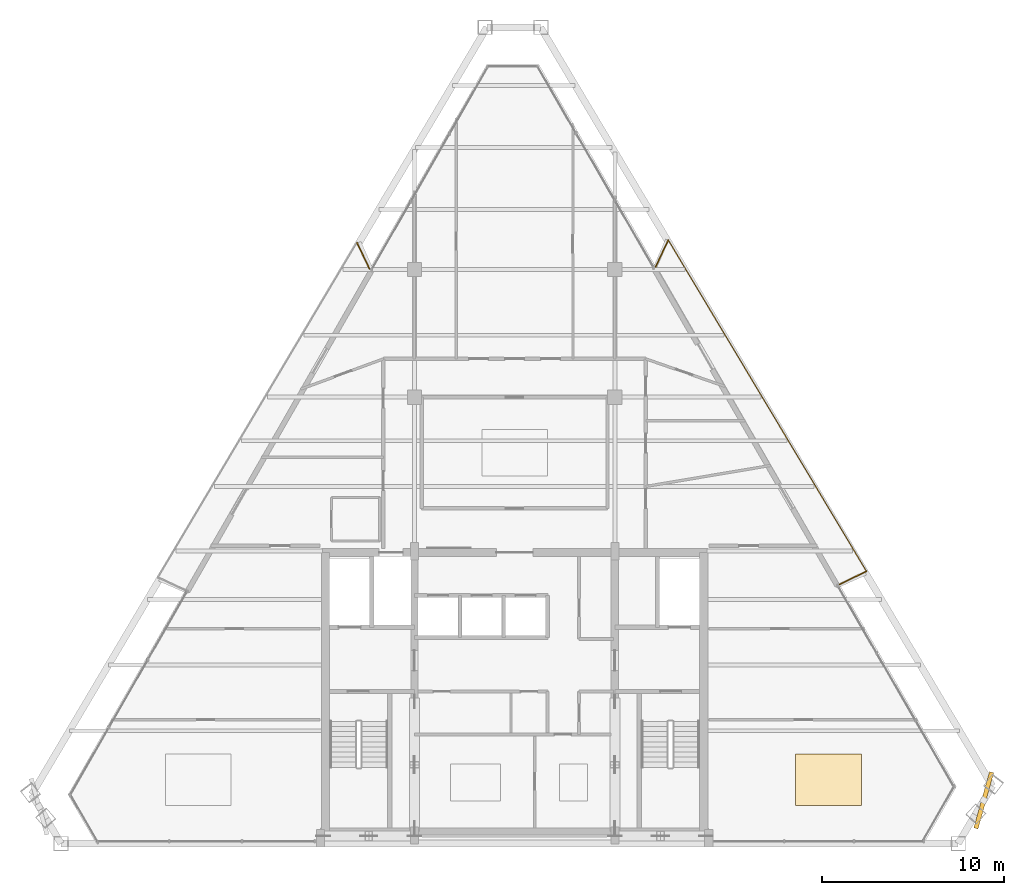
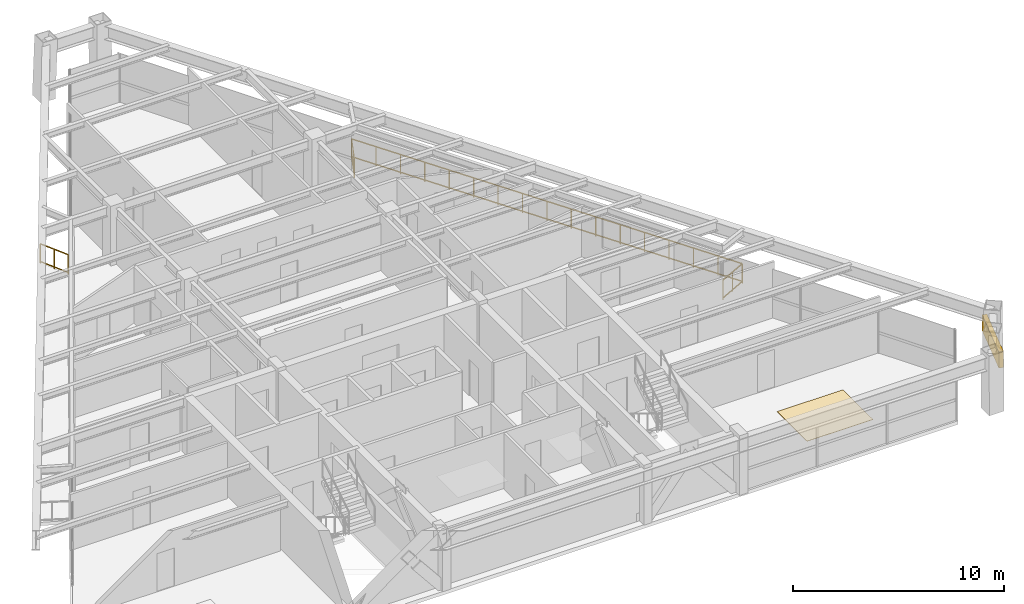
# One storey, part 13 of 13: 4 railings, 1 covering, 1 shading device.
"""IFC4 building model written with IfcOpenShell, lengths in metres."""

from ifc_helpers import new_model, si_unit, direction, frame, origin, origin_2d, place, context, subcontext, project, spatial, rectangle, extrude, source, transform, mapped, material, layer, layer_set, type_object, type_shapes, element, save


model = new_model("IFC4")

# Units and contexts
model_context = context("Model", 3, precision=1e-05, world=origin(), true_north=direction((0.0, 1.0)))
body_context = subcontext(model_context, "Body", "Model", "MODEL_VIEW")
ifc_project = project(units=[si_unit("LENGTHUNIT", "METRE"), si_unit("AREAUNIT", "SQUARE_METRE"), si_unit("VOLUMEUNIT", "CUBIC_METRE"), si_unit("PLANEANGLEUNIT", "RADIAN"), si_unit("MASSUNIT", "GRAM", prefix="KILO")], contexts=[model_context])

# Site, building, storey
site_placement = place(None, origin())
site = spatial("IfcSite", under=ifc_project, at=site_placement, CompositionType="ELEMENT")
building_placement = place(site_placement, origin())
building = spatial("IfcBuilding", under=site, at=building_placement, Name="Varnakhor Terracotta Tower", CompositionType="ELEMENT")
storey_placement = place(building_placement, frame((0.0, 0.0, 293.699951171875)))
storey = spatial("IfcBuildingStorey", under=building, at=storey_placement, Name="L77", CompositionType="ELEMENT", Elevation=293.699951171875)

# Railings
ifc_material_1 = material(Name="Stainless Steel & Laminated Glass Guardrail", Category="steel")
railing_type = type_object("IfcRailingType", Name="RLG-LOGGIA-GUARD-1150", PredefinedType="GUARDRAIL", material=ifc_material_1)
railing_1_placement = place(storey_placement, frame((7.7470703125, 31.6630859375, 0.0)))
element("IfcRailing", 1, at=railing_1_placement, inside=storey, type_object=railing_type, Name="L77 E Loggia Glass Guard 1", PredefinedType="GUARDRAIL", context=body_context, shape_type="SweptSolid", body=[
    extrude(rectangle(XDim=0.048095703125, YDim=0.048095703125, at=origin_2d()), frame((0.0, 0.0, 1.1259765625), z_axis=(0.428079810061, 0.903740934238, 0.0), x_axis=(-0.903740934238, 0.428079810061, 0.0)), (0.0, 0.0, 1.0), 1.60595703125),
    extrude(rectangle(XDim=0.048095703125, YDim=0.048095703125, at=origin_2d()), frame((0.0, 0.0, 0.10009765625), z_axis=(0.428079810061, 0.903740934238, 0.0), x_axis=(-0.903740934238, 0.428079810061, 0.0)), (0.0, 0.0, 1.0), 1.60595703125),
    extrude(rectangle(XDim=0.0419921875, YDim=0.0419921875, at=origin_2d()), origin(), (0.0, 0.0, 1.0), 1.101806640625),
    extrude(rectangle(XDim=0.0419921875, YDim=0.0419921875, at=origin_2d()), frame((0.34375, 0.7255859375, 0.0)), (0.0, 0.0, 1.0), 1.101806640625),
    extrude(rectangle(XDim=0.0419921875, YDim=0.0419921875, at=origin_2d()), frame((0.6875, 1.451416015625, 0.0)), (0.0, 0.0, 1.0), 1.101806640625),
])
railing_2_placement = place(storey_placement, frame((8.4345703125, 33.114501953125, 0.0)))
element("IfcRailing", 2, at=railing_2_placement, inside=storey, type_object=railing_type, Name="L77 E Loggia Glass Guard 2", PredefinedType="GUARDRAIL", context=body_context, shape_type="SweptSolid", body=[
    extrude(rectangle(XDim=0.048095703125, YDim=0.048095703125, at=origin_2d()), frame((0.0, 0.0, 1.1259765625), z_axis=(0.513442147461, -0.858124210829, 0.0), x_axis=(0.858124210829, 0.513442147461, 0.0)), (0.0, 0.0, 1.0), 21.169189453125),
    extrude(rectangle(XDim=0.048095703125, YDim=0.048095703125, at=origin_2d()), frame((0.0, 0.0, 0.10009765625), z_axis=(0.513442147461, -0.858124210829, 0.0), x_axis=(0.858124210829, 0.513442147461, 0.0)), (0.0, 0.0, 1.0), 21.169189453125),
    extrude(rectangle(XDim=0.0419921875, YDim=0.0419921875, at=origin_2d()), origin(), (0.0, 0.0, 1.0), 1.101806640625),
    extrude(rectangle(XDim=0.0419921875, YDim=0.0419921875, at=origin_2d()), frame((0.67919921875, -1.13525390625, 0.0)), (0.0, 0.0, 1.0), 1.101806640625),
    extrude(rectangle(XDim=0.0419921875, YDim=0.0419921875, at=origin_2d()), frame((1.358642578125, -2.270751953125, 0.0)), (0.0, 0.0, 1.0), 1.101806640625),
    extrude(rectangle(XDim=0.0419921875, YDim=0.0419921875, at=origin_2d()), frame((2.0380859375, -3.406005859375, 0.0)), (0.0, 0.0, 1.0), 1.101806640625),
    extrude(rectangle(XDim=0.0419921875, YDim=0.0419921875, at=origin_2d()), frame((2.71728515625, -4.54150390625, 0.0)), (0.0, 0.0, 1.0), 1.101806640625),
    extrude(rectangle(XDim=0.0419921875, YDim=0.0419921875, at=origin_2d()), frame((3.396484375, -5.6767578125, 0.0)), (0.0, 0.0, 1.0), 1.101806640625),
    extrude(rectangle(XDim=0.0419921875, YDim=0.0419921875, at=origin_2d()), frame((4.075927734375, -6.812255859375, 0.0)), (0.0, 0.0, 1.0), 1.101806640625),
    extrude(rectangle(XDim=0.0419921875, YDim=0.0419921875, at=origin_2d()), frame((4.75537109375, -7.947509765625, 0.0)), (0.0, 0.0, 1.0), 1.101806640625),
    extrude(rectangle(XDim=0.0419921875, YDim=0.0419921875, at=origin_2d()), frame((5.4345703125, -9.0830078125, 0.0)), (0.0, 0.0, 1.0), 1.101806640625),
    extrude(rectangle(XDim=0.0419921875, YDim=0.0419921875, at=origin_2d()), frame((6.11376953125, -10.21826171875, 0.0)), (0.0, 0.0, 1.0), 1.101806640625),
    extrude(rectangle(XDim=0.0419921875, YDim=0.0419921875, at=origin_2d()), frame((6.793212890625, -11.353515625, 0.0)), (0.0, 0.0, 1.0), 1.101806640625),
    extrude(rectangle(XDim=0.0419921875, YDim=0.0419921875, at=origin_2d()), frame((7.47265625, -12.489013671875, 0.0)), (0.0, 0.0, 1.0), 1.101806640625),
    extrude(rectangle(XDim=0.0419921875, YDim=0.0419921875, at=origin_2d()), frame((8.15185546875, -13.624267578125, 0.0)), (0.0, 0.0, 1.0), 1.101806640625),
    extrude(rectangle(XDim=0.0419921875, YDim=0.0419921875, at=origin_2d()), frame((8.8310546875, -14.759765625, 0.0)), (0.0, 0.0, 1.0), 1.101806640625),
    extrude(rectangle(XDim=0.0419921875, YDim=0.0419921875, at=origin_2d()), frame((9.510498046875, -15.89501953125, 0.0)), (0.0, 0.0, 1.0), 1.101806640625),
    extrude(rectangle(XDim=0.0419921875, YDim=0.0419921875, at=origin_2d()), frame((10.18994140625, -17.030517578125, 0.0)), (0.0, 0.0, 1.0), 1.101806640625),
    extrude(rectangle(XDim=0.0419921875, YDim=0.0419921875, at=origin_2d()), frame((10.869140625, -18.165771484375, 0.0)), (0.0, 0.0, 1.0), 1.101806640625),
])
railing_3_placement = place(storey_placement, frame((19.3037109375, 14.94873046875, 0.0)))
element("IfcRailing", 3, at=railing_3_placement, inside=storey, type_object=railing_type, Name="L77 E Loggia Glass Guard 3", PredefinedType="GUARDRAIL", context=body_context, shape_type="SweptSolid", body=[
    extrude(rectangle(XDim=0.048095703125, YDim=0.048095703125, at=origin_2d()), frame((0.0, 0.0, 1.1259765625), z_axis=(-0.897292062315, -0.441437373708, 0.0), x_axis=(0.441437373708, -0.897292062315, 0.0)), (0.0, 0.0, 1.0), 1.642578125),
    extrude(rectangle(XDim=0.048095703125, YDim=0.048095703125, at=origin_2d()), frame((0.0, 0.0, 0.10009765625), z_axis=(-0.897292062315, -0.441437373708, 0.0), x_axis=(0.441437373708, -0.897292062315, 0.0)), (0.0, 0.0, 1.0), 1.642578125),
    extrude(rectangle(XDim=0.0419921875, YDim=0.0419921875, at=origin_2d()), origin(), (0.0, 0.0, 1.0), 1.101806640625),
    extrude(rectangle(XDim=0.0419921875, YDim=0.0419921875, at=origin_2d()), frame((-0.73681640625, -0.362548828125, 0.0)), (0.0, 0.0, 1.0), 1.101806640625),
    extrude(rectangle(XDim=0.0419921875, YDim=0.0419921875, at=origin_2d()), frame((-1.473876953125, -0.72509765625, 0.0)), (0.0, 0.0, 1.0), 1.101806640625),
])
railing_4_placement = place(storey_placement, frame((-8.65478515625, 32.9853515625, 0.0)))
element("IfcRailing", 4, at=railing_4_placement, inside=storey, type_object=railing_type, Name="L77 W Loggia Glass Guard 3", PredefinedType="GUARDRAIL", context=body_context, shape_type="SweptSolid", body=[
    extrude(rectangle(XDim=0.048095703125, YDim=0.048095703125, at=origin_2d()), frame((0.0, 0.0, 1.1259765625), z_axis=(0.432473620454, -0.901646586869, 0.0), x_axis=(0.901646586869, 0.432473620454, 0.0)), (0.0, 0.0, 1.0), 1.603271484375),
    extrude(rectangle(XDim=0.048095703125, YDim=0.048095703125, at=origin_2d()), frame((0.0, 0.0, 0.10009765625), z_axis=(0.432473620454, -0.901646586869, 0.0), x_axis=(0.901646586869, 0.432473620454, 0.0)), (0.0, 0.0, 1.0), 1.603271484375),
    extrude(rectangle(XDim=0.0419921875, YDim=0.0419921875, at=origin_2d()), origin(), (0.0, 0.0, 1.0), 1.101806640625),
    extrude(rectangle(XDim=0.0419921875, YDim=0.0419921875, at=origin_2d()), frame((0.3466796875, -0.72265625, 0.0)), (0.0, 0.0, 1.0), 1.101806640625),
    extrude(rectangle(XDim=0.0419921875, YDim=0.0419921875, at=origin_2d()), frame((0.693359375, -1.445556640625, 0.0)), (0.0, 0.0, 1.0), 1.101806640625),
])

# Shading device
ifc_material_2 = material(Name="Extruded Architectural Terracotta Screen", Category="masonry")
shading_device_type = type_object("IfcShadingDeviceType", Name="TERRACOTTA SOLAR SCREEN E", PredefinedType="USERDEFINED", material=ifc_material_2)
shared_shape_1 = source(origin(), body_context, "Body", "SweptSolid", [
    extrude(rectangle(XDim=3.199951171875, YDim=0.239990234375, at=origin_2d()), origin(), (0.0, 0.0, 1.0), 0.919921875),
])
type_shapes(shading_device_type, [shared_shape_1])
shading_device_placement = place(storey_placement, frame((25.744140625, 2.376953125, 1.56201171875), z_axis=(0.0, 0.0, 1.0), x_axis=(0.270314797678, 0.962771992819, 0.0)))
element("IfcShadingDevice", 5, at=shading_device_placement, inside=storey, type_object=shading_device_type, Name="L77 E Terracotta Solar Screen", ObjectType="SCREEN", PredefinedType="USERDEFINED", context=body_context, shape_type="MappedRepresentation", body=[
    mapped(shared_shape_1, transform((0.0, 0.0, 0.0), scale=1.0)),
])

# Covering
ifc_material_3 = material(Name="Honed Riyadh Limestone Flooring", Category="masonry")
ifc_layer = layer(ifc_material_3, 0.030029296875, Name="Honed Riyadh Limestone Flooring")
ifc_layer_set = layer_set([ifc_layer], Name="Honed Riyadh Limestone Flooring")
covering_type = type_object("IfcCoveringType", Name="COV-FLOOR-LIMESTONE", PredefinedType="FLOORING", material=ifc_layer_set)
shared_shape_2 = source(origin(), body_context, "Body", "SweptSolid", [
    extrude(rectangle(XDim=3.60009765625, YDim=2.83203125, at=origin_2d()), origin(), (0.0, 0.0, 1.0), 0.02001953125),
])
covering_placement = place(storey_placement, frame((17.221923828125, 3.50390625, 0.0), z_axis=(0.0, 0.0, 1.0), x_axis=(1.0, 0.0, 0.0)))
element("IfcCovering", 6, at=covering_placement, inside=storey, type_object=covering_type, Name="L77 Honed Stone Flooring 3", PredefinedType="FLOORING", context=body_context, shape_type="MappedRepresentation", body=[
    mapped(shared_shape_2, transform((0.0, 0.0, 0.0), scale=1.0)),
])

save(model, "model.ifc")
